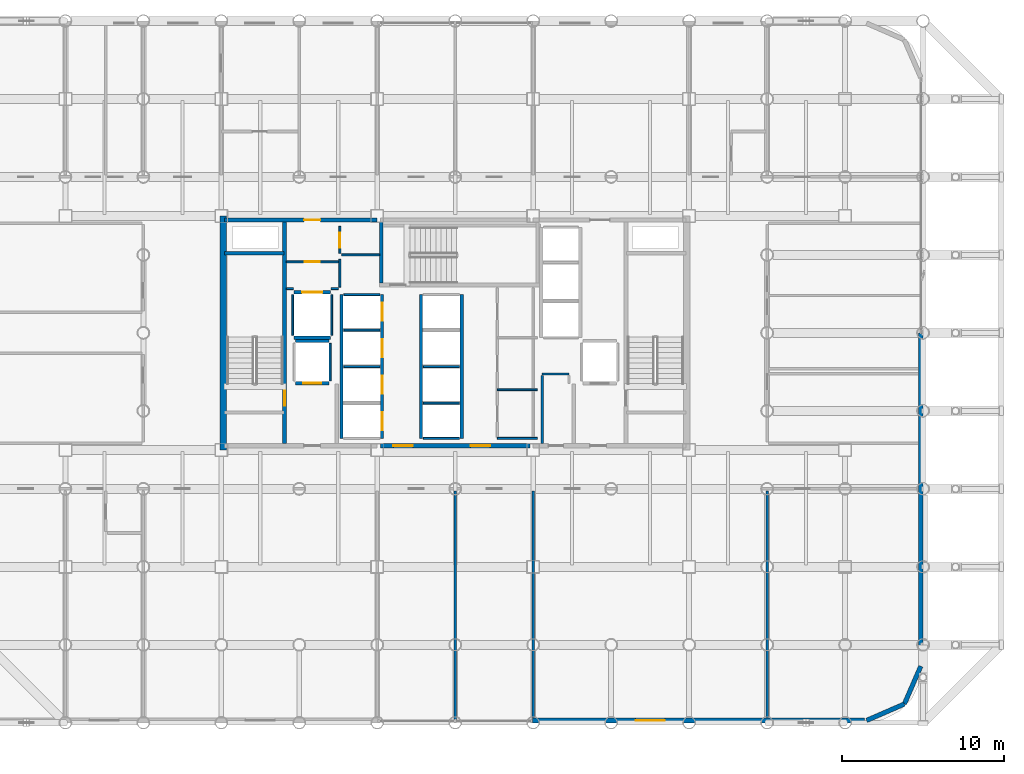
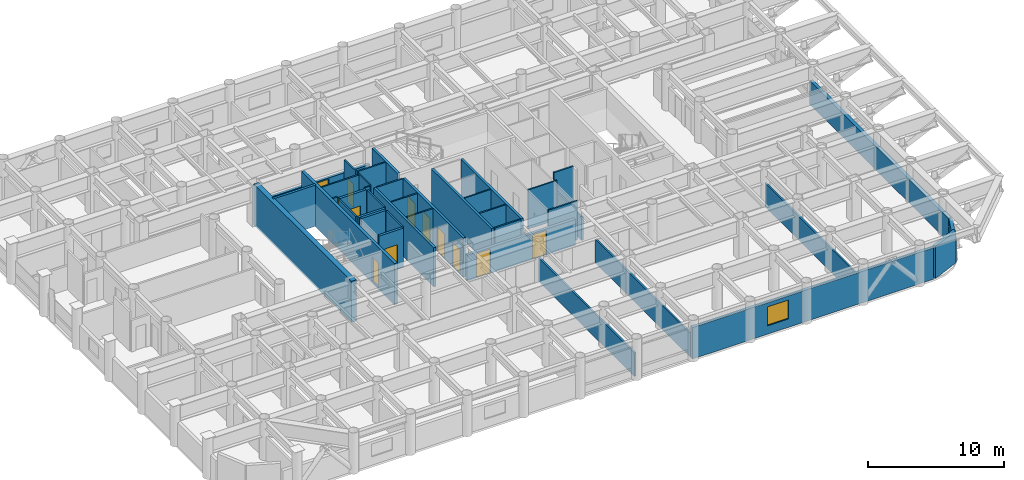
# One storey, part 22 of 26: 40 walls, 12 doors, 1 window, 13 openings.
"""IFC4 building model written with IfcOpenShell, lengths in metres."""

from ifc_helpers import new_model, si_unit, direction, frame, frame_2d, origin, place, context, subcontext, project, spatial, rectangle, extrude, material, layer, layer_set, type_object, element, fill, save


model = new_model("IFC4")

# Units and contexts
model_context = context("Model", 3, precision=1e-05, world=origin(), true_north=direction((0.0, 1.0)))
body_context = subcontext(model_context, "Body", "Model", "MODEL_VIEW")
ifc_project = project(units=[si_unit("LENGTHUNIT", "METRE"), si_unit("AREAUNIT", "SQUARE_METRE"), si_unit("VOLUMEUNIT", "CUBIC_METRE"), si_unit("PLANEANGLEUNIT", "RADIAN"), si_unit("MASSUNIT", "GRAM", prefix="KILO")], contexts=[model_context])

# Site, building, storey
site_placement = place(None, origin())
site = spatial("IfcSite", under=ifc_project, at=site_placement, CompositionType="ELEMENT")
building_placement = place(site_placement, origin())
building = spatial("IfcBuilding", under=site, at=building_placement, Name="Kallvorn Hotel Tower", CompositionType="ELEMENT")
storey_placement = place(building_placement, frame((0.0, 0.0, 55.89990234375)))
storey = spatial("IfcBuildingStorey", under=building, at=storey_placement, Name="L12", CompositionType="ELEMENT", Elevation=55.89990234375)

# Walls
ifc_material_1 = material(Name="Concrete C50/60", Category="concrete")
ifc_layer_1 = layer(ifc_material_1, 0.39990234375)
ifc_layer_set_1 = layer_set([ifc_layer_1], Name="WL_CORE_400")
wall_type_1 = type_object("IfcWallType", Name="WL_CORE_400", PredefinedType="SHEAR", material=ifc_layer_set_1)
wall_1_placement = place(storey_placement, frame((-14.264892578125, -7.199951171875, -0.179931640625), z_axis=(0.0, 0.0, 1.0), x_axis=(0.0, 1.0, 0.0)))
element("IfcWall", 1, at=wall_1_placement, inside=storey, type_object=wall_type_1, Name="L12 Core West Shear Wall", PredefinedType="SHEAR", context=body_context, shape_type="SweptSolid", body=[
    extrude(rectangle(XDim=14.39990234375, YDim=0.39990234375, at=frame_2d((7.199951171875, 0.0))), origin(), (0.0, 0.0, 1.0), 3.699951171875),
])
ifc_material_2 = material(Name="Precast basalt-clad insulated concrete wall C40/50", Category="masonry")
ifc_layer_2 = layer(ifc_material_2, 0.280029296875)
ifc_layer_set_2 = layer_set([ifc_layer_2], Name="WL_EXT_LOGGIA_280")
wall_type_2 = type_object("IfcWallType", Name="WL_EXT_LOGGIA_280", PredefinedType="SOLIDWALL", material=ifc_layer_set_2)
wall_2_placement = place(storey_placement, frame((25.32080078125, -23.85791015625, 0.0), z_axis=(0.0, 0.0, 1.0), x_axis=(0.917060872934, 0.398747232384, 0.0)))
element("IfcWall", 2, at=wall_2_placement, inside=storey, type_object=wall_type_2, Name="L12 Rounded Corner Exterior Wall SE1", PredefinedType="SOLIDWALL", context=body_context, shape_type="SweptSolid", body=[
    extrude(rectangle(XDim=2.5361328125, YDim=0.280029296875, at=frame_2d((1.26806640625, 0.0))), origin(), (0.0, 0.0, 1.0), 2.8701171875),
])
wall_3_placement = place(storey_placement, frame((27.646484375, -22.8466796875, 0.0), z_axis=(0.0, 0.0, 1.0), x_axis=(0.398792985289, 0.917040977756, 0.0)))
element("IfcWall", 3, at=wall_3_placement, inside=storey, type_object=wall_type_2, Name="L12 Rounded Corner Exterior Wall SE2", PredefinedType="SOLIDWALL", context=body_context, shape_type="SweptSolid", body=[
    extrude(rectangle(XDim=2.536376953125, YDim=0.280029296875, at=frame_2d((1.26806640625, 0.0))), origin(), (0.0, 0.0, 1.0), 2.1201171875),
])

# Wall, opening, window
wall_4_placement = place(storey_placement, frame((4.75, -23.860107421875, 0.0), z_axis=(0.0, 0.0, 1.0), x_axis=(1.0, 0.0, 0.0)))
wall_4 = element("IfcWall", 4, at=wall_4_placement, inside=storey, type_object=wall_type_2, Name="L12 Exterior Envelope Wall EW-L12-SE", PredefinedType="SOLIDWALL", context=body_context, shape_type="SweptSolid", body=[
    extrude(rectangle(XDim=20.449951171875, YDim=0.280029296875, at=frame_2d((10.22509765625, 0.0))), origin(), (0.0, 0.0, 1.0), 2.820068359375),
])
opening_1_placement = place(wall_4_placement, frame((6.35009765625, 0.0, 0.75)))
opening_1 = element("IfcOpeningElement", 5, at=opening_1_placement, cuts=wall_4, Name="Opening W04", PredefinedType="OPENING", context=body_context, shape_type="SweptSolid", body=[
    extrude(rectangle(XDim=1.800048828125, YDim=1.699951171875, at=frame_2d((0.89990234375, 0.85009765625))), frame((0.0, 0.155029296875, 0.0), z_axis=(0.0, -1.0, 0.0), x_axis=(1.0, 0.0, 0.0)), (0.0, 0.0, 1.0), 0.31005859375),
])
ifc_material_3 = material(Name="Double-glazed low-e solar-control dark glass", Category="glass")
window_type = type_object("IfcWindowType", Name="WN_HTL_1800x1700", PartitioningType="SINGLE_PANEL", PredefinedType="WINDOW", material=ifc_material_3)
window_placement = place(opening_1_placement, origin())
window = element("IfcWindow", 6, at=window_placement, inside=storey, type_object=window_type, Name="L12 Guestroom Exterior Window 04", OverallHeight=1.699951171875, OverallWidth=1.800048828125, PartitioningType="SINGLE_PANEL", PredefinedType="WINDOW", context=body_context, shape_type="SweptSolid", body=[
    extrude(rectangle(XDim=1.800048828125, YDim=1.699951171875, at=frame_2d((0.89990234375, 0.85009765625))), frame((0.0, 0.030029296875, 0.0), z_axis=(0.0, -1.0, 0.0), x_axis=(1.0, 0.0, 0.0)), (0.0, 0.0, 1.0), 0.06005859375),
])
fill(opening_1, window)

# Walls
wall_5_placement = place(storey_placement, frame((28.659912109375, -20.39990234375, 0.0), z_axis=(0.0, 0.0, 1.0), x_axis=(0.0, 1.0, 0.0)))
element("IfcWall", 7, at=wall_5_placement, inside=storey, type_object=wall_type_2, Name="L12 Exterior Envelope Wall EW-L12-ES", PredefinedType="SOLIDWALL", context=body_context, shape_type="SweptSolid", body=[
    extrude(rectangle(XDim=20.3798828125, YDim=0.280029296875, at=frame_2d((10.18994140625, 0.0))), origin(), (0.0, 0.0, 1.0), 2.1201171875),
])
ifc_material_4 = material(Name="Concrete C40/50", Category="concrete")
ifc_layer_3 = layer(ifc_material_4, 0.199951171875)
ifc_layer_set_3 = layer_set([ifc_layer_3], Name="WL_HOIST_200")
wall_type_3 = type_object("IfcWallType", Name="WL_HOIST_200", PredefinedType="SOLIDWALL", material=ifc_layer_set_3)
wall_6_placement = place(storey_placement, frame((-14.199951171875, 4.89990234375, -0.179931640625), z_axis=(0.0, 0.0, 1.0), x_axis=(1.0, 0.0, 0.0)))
element("IfcWall", 8, at=wall_6_placement, inside=storey, type_object=wall_type_3, Name="L12 Stair ST1 North Wall", PredefinedType="SOLIDWALL", context=body_context, shape_type="SweptSolid", body=[
    extrude(rectangle(XDim=3.64990234375, YDim=0.199951171875, at=frame_2d((1.824951171875, 0.0))), origin(), (0.0, 0.0, 1.0), 3.699951171875),
])
wall_7_placement = place(storey_placement, frame((-4.550048828125, 3.080078125, -0.179931640625), z_axis=(0.0, 0.0, 1.0), x_axis=(0.0, 1.0, 0.0)))
element("IfcWall", 9, at=wall_7_placement, inside=storey, type_object=wall_type_3, Name="L12 Stair ST3 West Wall", PredefinedType="SOLIDWALL", context=body_context, shape_type="SweptSolid", body=[
    extrude(rectangle(XDim=3.739990234375, YDim=0.199951171875, at=frame_2d((1.8701171875, 0.0))), origin(), (0.0, 0.0, 1.0), 3.699951171875),
])

# Wall, openings, doors
wall_8_placement = place(storey_placement, frame((-4.5, -6.5, 0.0), z_axis=(0.0, 0.0, 1.0), x_axis=(0.0, 1.0, 0.0)))
wall_8 = element("IfcWall", 10, at=wall_8_placement, inside=storey, type_object=wall_type_3, Name="L12 Lift Bank B1 Landing Wall", PredefinedType="SOLIDWALL", context=body_context, shape_type="SweptSolid", body=[
    extrude(rectangle(XDim=8.85009765625, YDim=0.199951171875, at=frame_2d((4.425048828125, 0.0))), origin(), (0.0, 0.0, 1.0), 3.52001953125),
])
opening_2_placement = place(wall_8_placement, frame((0.5, 0.0, 0.0)))
opening_2 = element("IfcOpeningElement", 11, at=opening_2_placement, cuts=wall_8, Name="Opening LD-PL-01", PredefinedType="OPENING", context=body_context, shape_type="SweptSolid", body=[
    extrude(rectangle(XDim=1.10009765625, YDim=2.199951171875, at=frame_2d((0.550048828125, 1.10009765625))), frame((0.0, 0.114990234375, 0.0), z_axis=(0.0, -1.0, 0.0), x_axis=(1.0, 0.0, 0.0)), (0.0, 0.0, 1.0), 0.22998046875),
])
opening_3_placement = place(wall_8_placement, frame((2.75, 0.0, 0.0)))
opening_3 = element("IfcOpeningElement", 12, at=opening_3_placement, cuts=wall_8, Name="Opening LD-PL-02", PredefinedType="OPENING", context=body_context, shape_type="SweptSolid", body=[
    extrude(rectangle(XDim=1.10009765625, YDim=2.199951171875, at=frame_2d((0.550048828125, 1.10009765625))), frame((0.0, 0.114990234375, 0.0), z_axis=(0.0, -1.0, 0.0), x_axis=(1.0, 0.0, 0.0)), (0.0, 0.0, 1.0), 0.22998046875),
])
opening_4_placement = place(wall_8_placement, frame((5.0, 0.0, 0.0)))
opening_4 = element("IfcOpeningElement", 13, at=opening_4_placement, cuts=wall_8, Name="Opening LD-PL-03", PredefinedType="OPENING", context=body_context, shape_type="SweptSolid", body=[
    extrude(rectangle(XDim=1.10009765625, YDim=2.199951171875, at=frame_2d((0.550048828125, 1.10009765625))), frame((0.0, 0.114990234375, 0.0), z_axis=(0.0, -1.0, 0.0), x_axis=(1.0, 0.0, 0.0)), (0.0, 0.0, 1.0), 0.22998046875),
])
opening_5_placement = place(wall_8_placement, frame((7.25, 0.0, 0.0)))
opening_5 = element("IfcOpeningElement", 14, at=opening_5_placement, cuts=wall_8, Name="Opening LD-PL-04", PredefinedType="OPENING", context=body_context, shape_type="SweptSolid", body=[
    extrude(rectangle(XDim=1.10009765625, YDim=2.199951171875, at=frame_2d((0.550048828125, 1.10009765625))), frame((0.0, 0.114990234375, 0.0), z_axis=(0.0, -1.0, 0.0), x_axis=(1.0, 0.0, 0.0)), (0.0, 0.0, 1.0), 0.22998046875),
])
ifc_material_5 = material(Name="Brushed stainless-steel automatic sliding lift landing door", Category="steel")
door_type_1 = type_object("IfcDoorType", Name="LD_PASS_1100x2200", OperationType="SLIDING_TO_LEFT", PredefinedType="DOOR", material=ifc_material_5)
door_1_placement = place(opening_2_placement, origin())
door_1 = element("IfcDoor", 15, at=door_1_placement, inside=storey, type_object=door_type_1, Name="L12 Lift Landing Sliding Door LD-PL-01", OperationType="SLIDING_TO_LEFT", OverallHeight=2.199951171875, OverallWidth=1.10009765625, PredefinedType="DOOR", context=body_context, shape_type="SweptSolid", body=[
    extrude(rectangle(XDim=1.10009765625, YDim=2.199951171875, at=frame_2d((0.550048828125, 1.10009765625))), frame((0.0, 0.02490234375, 0.0), z_axis=(0.0, -1.0, 0.0), x_axis=(1.0, 0.0, 0.0)), (0.0, 0.0, 1.0), 0.050048828125),
])
fill(opening_2, door_1)
door_2_placement = place(opening_3_placement, origin())
door_2 = element("IfcDoor", 16, at=door_2_placement, inside=storey, type_object=door_type_1, Name="L12 Lift Landing Sliding Door LD-PL-02", OperationType="SLIDING_TO_LEFT", OverallHeight=2.199951171875, OverallWidth=1.10009765625, PredefinedType="DOOR", context=body_context, shape_type="SweptSolid", body=[
    extrude(rectangle(XDim=1.10009765625, YDim=2.199951171875, at=frame_2d((0.550048828125, 1.10009765625))), frame((0.0, 0.02490234375, 0.0), z_axis=(0.0, -1.0, 0.0), x_axis=(1.0, 0.0, 0.0)), (0.0, 0.0, 1.0), 0.050048828125),
])
fill(opening_3, door_2)
door_3_placement = place(opening_4_placement, origin())
door_3 = element("IfcDoor", 17, at=door_3_placement, inside=storey, type_object=door_type_1, Name="L12 Lift Landing Sliding Door LD-PL-03", OperationType="SLIDING_TO_LEFT", OverallHeight=2.199951171875, OverallWidth=1.10009765625, PredefinedType="DOOR", context=body_context, shape_type="SweptSolid", body=[
    extrude(rectangle(XDim=1.10009765625, YDim=2.199951171875, at=frame_2d((0.550048828125, 1.10009765625))), frame((0.0, 0.02490234375, 0.0), z_axis=(0.0, -1.0, 0.0), x_axis=(1.0, 0.0, 0.0)), (0.0, 0.0, 1.0), 0.050048828125),
])
fill(opening_4, door_3)
door_4_placement = place(opening_5_placement, origin())
door_4 = element("IfcDoor", 18, at=door_4_placement, inside=storey, type_object=door_type_1, Name="L12 Lift Landing Sliding Door LD-PL-04", OperationType="SLIDING_TO_LEFT", OverallHeight=2.199951171875, OverallWidth=1.10009765625, PredefinedType="DOOR", context=body_context, shape_type="SweptSolid", body=[
    extrude(rectangle(XDim=1.10009765625, YDim=2.199951171875, at=frame_2d((0.550048828125, 1.10009765625))), frame((0.0, 0.02490234375, 0.0), z_axis=(0.0, -1.0, 0.0), x_axis=(1.0, 0.0, 0.0)), (0.0, 0.0, 1.0), 0.050048828125),
])
fill(opening_5, door_4)

# Walls
for number, where, z_axis, x_axis, name in (
    (19, (-7.0, -6.5, 0.0), (0.0, 0.0, 1.0), (0.0, 1.0, 0.0), "L12 Lift Bank B1 Rear Shaft Wall"),
    (20, (-2.10009765625, -6.5, 0.0), (0.0, 0.0, 1.0), (0.0, 1.0, 0.0), "L12 Lift Bank B2 Landing Wall"),
    (21, (0.39990234375, -6.5, 0.0), (0.0, 0.0, 1.0), (0.0, 1.0, 0.0), "L12 Lift Bank B2 Rear Shaft Wall"),
):
    element("IfcWall", number, at=place(storey_placement, frame(where, z_axis=z_axis, x_axis=x_axis)), inside=storey, type_object=wall_type_3, Name=name, PredefinedType="SOLIDWALL", context=body_context, shape_type="SweptSolid", body=[
        extrude(rectangle(XDim=8.85009765625, YDim=0.199951171875, at=frame_2d((4.425048828125, 0.0))), origin(), (0.0, 0.0, 1.0), 3.52001953125),
    ])

# Wall, opening, door
wall_9_placement = place(storey_placement, frame((-9.820068359375, -3.10009765625, 0.0), z_axis=(0.0, 0.0, 1.0), x_axis=(1.0, 0.0, 0.0)))
wall_9 = element("IfcWall", 22, at=wall_9_placement, inside=storey, type_object=wall_type_3, Name="L12 FL-1 Landing Wall", PredefinedType="SOLIDWALL", context=body_context, shape_type="SweptSolid", body=[
    extrude(rectangle(XDim=2.0400390625, YDim=0.199951171875, at=frame_2d((1.02001953125, 0.0))), origin(), (0.0, 0.0, 1.0), 3.52001953125),
])
opening_6_placement = place(wall_9_placement, frame((0.469970703125, 0.0, 0.0)))
opening_6 = element("IfcOpeningElement", 23, at=opening_6_placement, cuts=wall_9, Name="Opening LD-FL-1", PredefinedType="OPENING", context=body_context, shape_type="SweptSolid", body=[
    extrude(rectangle(XDim=1.10009765625, YDim=2.199951171875, at=frame_2d((0.550048828125, 1.10009765625))), frame((0.0, 0.114990234375, 0.0), z_axis=(0.0, -1.0, 0.0), x_axis=(1.0, 0.0, 0.0)), (0.0, 0.0, 1.0), 0.22998046875),
])
door_5_placement = place(opening_6_placement, origin())
door_5 = element("IfcDoor", 24, at=door_5_placement, inside=storey, type_object=door_type_1, Name="L12 Lift Landing Sliding Door LD-FL-1", OperationType="SLIDING_TO_LEFT", OverallHeight=2.199951171875, OverallWidth=1.10009765625, PredefinedType="DOOR", context=body_context, shape_type="SweptSolid", body=[
    extrude(rectangle(XDim=1.10009765625, YDim=2.199951171875, at=frame_2d((0.550048828125, 1.10009765625))), frame((0.0, 0.02490234375, 0.0), z_axis=(0.0, -1.0, 0.0), x_axis=(1.0, 0.0, 0.0)), (0.0, 0.0, 1.0), 0.050048828125),
])
fill(opening_6, door_5)

# Wall
wall_10_placement = place(storey_placement, frame((-9.820068359375, -0.5, 0.0), z_axis=(0.0, 0.0, 1.0), x_axis=(1.0, 0.0, 0.0)))
element("IfcWall", 25, at=wall_10_placement, inside=storey, type_object=wall_type_3, Name="L12 FL-1 Rear Shaft Wall", PredefinedType="SOLIDWALL", context=body_context, shape_type="SweptSolid", body=[
    extrude(rectangle(XDim=2.0400390625, YDim=0.199951171875, at=frame_2d((1.02001953125, 0.0))), origin(), (0.0, 0.0, 1.0), 3.52001953125),
])

# Wall, opening, door
wall_11_placement = place(storey_placement, frame((-9.919921875, 2.5, 0.0), z_axis=(0.0, 0.0, 1.0), x_axis=(1.0, 0.0, 0.0)))
wall_11 = element("IfcWall", 26, at=wall_11_placement, inside=storey, type_object=wall_type_3, Name="L12 SV-01 Landing Wall", PredefinedType="SOLIDWALL", context=body_context, shape_type="SweptSolid", body=[
    extrude(rectangle(XDim=2.239990234375, YDim=0.199951171875, at=frame_2d((1.1201171875, 0.0))), origin(), (0.0, 0.0, 1.0), 3.52001953125),
])
opening_7_placement = place(wall_11_placement, frame((0.4951171875, 0.0, 0.0)))
opening_7 = element("IfcOpeningElement", 27, at=opening_7_placement, cuts=wall_11, Name="Opening LD-SV-01", PredefinedType="OPENING", context=body_context, shape_type="SweptSolid", body=[
    extrude(rectangle(XDim=1.25, YDim=2.25, at=frame_2d((0.625, 1.125))), frame((0.0, 0.114990234375, 0.0), z_axis=(0.0, -1.0, 0.0), x_axis=(1.0, 0.0, 0.0)), (0.0, 0.0, 1.0), 0.22998046875),
])
ifc_material_6 = material(Name="Brushed stainless-steel automatic sliding lift landing door", Category="steel")
door_type_2 = type_object("IfcDoorType", Name="LD_SERV_1250x2250", OperationType="SLIDING_TO_LEFT", PredefinedType="DOOR", material=ifc_material_6)
door_6_placement = place(opening_7_placement, origin())
door_6 = element("IfcDoor", 28, at=door_6_placement, inside=storey, type_object=door_type_2, Name="L12 Lift Landing Sliding Door LD-SV-01", OperationType="SLIDING_TO_LEFT", OverallHeight=2.25, OverallWidth=1.25, PredefinedType="DOOR", context=body_context, shape_type="SweptSolid", body=[
    extrude(rectangle(XDim=1.25, YDim=2.25, at=frame_2d((0.625, 1.125))), frame((0.0, 0.02490234375, 0.0), z_axis=(0.0, -1.0, 0.0), x_axis=(1.0, 0.0, 0.0)), (0.0, 0.0, 1.0), 0.050048828125),
])
fill(opening_7, door_6)

# Walls
wall_12_placement = place(storey_placement, frame((-9.919921875, -0.300048828125, 0.0), z_axis=(0.0, 0.0, 1.0), x_axis=(1.0, 0.0, 0.0)))
element("IfcWall", 29, at=wall_12_placement, inside=storey, type_object=wall_type_3, Name="L12 SV-01 Rear Shaft Wall", PredefinedType="SOLIDWALL", context=body_context, shape_type="SweptSolid", body=[
    extrude(rectangle(XDim=2.239990234375, YDim=0.199951171875, at=frame_2d((1.1201171875, 0.0))), origin(), (0.0, 0.0, 1.0), 3.52001953125),
])
ifc_material_7 = material(Name="Fire-rated double-layer acoustic gypsum drywall EI 60")
ifc_layer_4 = layer(ifc_material_7, 0.1201171875)
ifc_layer_set_4 = layer_set([ifc_layer_4], Name="WL_INT_120")
wall_type_4 = type_object("IfcWallType", Name="WL_INT_120", PredefinedType="PARTITIONING", material=ifc_layer_set_4)
for number, where, z_axis, x_axis, name in (
    (30, (-6.860107421875, -2.074951171875, 0.0), (0.0, 0.0, 1.0), (1.0, 0.0, 0.0), "L12 PL-02 Hoistway Divider"),
    (31, (-6.860107421875, 0.175048828125, 0.0), (0.0, 0.0, 1.0), (1.0, 0.0, 0.0), "L12 PL-03 Hoistway Divider"),
    (32, (-6.860107421875, 2.35009765625, 0.0), (0.0, 0.0, 1.0), (1.0, 0.0, 0.0), "L12 PL-04 Hoistway Divider"),
):
    element("IfcWall", number, at=place(storey_placement, frame(where, z_axis=z_axis, x_axis=x_axis)), inside=storey, type_object=wall_type_4, Name=name, PredefinedType="PARTITIONING", context=body_context, shape_type="SweptSolid", body=[
        extrude(rectangle(XDim=2.22021484375, YDim=0.1201171875, at=frame_2d((1.110107421875, 0.0))), origin(), (0.0, 0.0, 1.0), 3.52001953125),
    ])
for number, where, z_axis, x_axis, name in (
    (33, (-1.9599609375, -6.5, 0.0), (0.0, 0.0, 1.0), (1.0, 0.0, 0.0), "L12 Lift Bank B2 South Closure Wall"),
    (34, (-1.9599609375, -4.324951171875, 0.0), (0.0, 0.0, 1.0), (1.0, 0.0, 0.0), "L12 PL-05 Hoistway Divider"),
    (35, (-1.9599609375, -2.074951171875, 0.0), (0.0, 0.0, 1.0), (1.0, 0.0, 0.0), "L12 PL-06 Hoistway Divider"),
):
    element("IfcWall", number, at=place(storey_placement, frame(where, z_axis=z_axis, x_axis=x_axis)), inside=storey, type_object=wall_type_4, Name=name, PredefinedType="PARTITIONING", context=body_context, shape_type="SweptSolid", body=[
        extrude(rectangle(XDim=2.219970703125, YDim=0.1201171875, at=frame_2d((1.10986328125, 0.0))), origin(), (0.0, 0.0, 1.0), 3.52001953125),
    ])
wall_13_placement = place(storey_placement, frame((-7.699951171875, -2.9599609375, 0.0), z_axis=(0.0, 0.0, 1.0), x_axis=(0.0, 1.0, 0.0)))
element("IfcWall", 36, at=wall_13_placement, inside=storey, type_object=wall_type_4, Name="L12 FL-1 East Shaft Wall", PredefinedType="PARTITIONING", context=body_context, shape_type="SweptSolid", body=[
    extrude(rectangle(XDim=2.320068359375, YDim=0.1201171875, at=frame_2d((1.16015625, 0.0))), origin(), (0.0, 0.0, 1.0), 3.52001953125),
])
for number, where, z_axis, x_axis, name in (
    (37, (-10.0, -0.159912109375, 0.0), (0.0, 0.0, 1.0), (0.0, 1.0, 0.0), "L12 SV-01 West Shaft Wall"),
    (38, (-7.60009765625, -0.159912109375, 0.0), (0.0, 0.0, 1.0), (0.0, 1.0, 0.0), "L12 SV-01 East Shaft Wall"),
):
    element("IfcWall", number, at=place(storey_placement, frame(where, z_axis=z_axis, x_axis=x_axis)), inside=storey, type_object=wall_type_4, Name=name, PredefinedType="PARTITIONING", context=body_context, shape_type="SweptSolid", body=[
        extrude(rectangle(XDim=2.52001953125, YDim=0.1201171875, at=frame_2d((1.260009765625, 0.0))), origin(), (0.0, 0.0, 1.0), 3.52001953125),
    ])
for number, where, z_axis, x_axis, name in (
    (39, (2.60009765625, -6.5, 0.0), (0.0, 0.0, 1.0), (1.0, 0.0, 0.0), "L12 East Core Minibar Store Partition"),
    (40, (2.60009765625, -3.5, 0.0), (0.0, 0.0, 1.0), (1.0, 0.0, 0.0), "L12 East Core Housekeeping Supply Closet Partition"),
):
    element("IfcWall", number, at=place(storey_placement, frame(where, z_axis=z_axis, x_axis=x_axis)), inside=storey, type_object=wall_type_4, Name=name, PredefinedType="PARTITIONING", context=body_context, shape_type="SweptSolid", body=[
        extrude(rectangle(XDim=2.449951171875, YDim=0.1201171875, at=frame_2d((1.22509765625, 0.0))), origin(), (0.0, 0.0, 1.0), 3.52001953125),
    ])
for number, where, z_axis, x_axis, name in (
    (41, (-10.39990234375, 2.72509765625, 0.0), (0.0, 0.0, 1.0), (1.0, 0.0, 0.0), "L12 Core Telecom and Metering Store Partition"),
    (42, (-7.639892578125, 2.72509765625, 0.0), (0.0, 0.0, 1.0), (1.0, 0.0, 0.0), "L12 Core Telecom and Metering Store Partition"),
):
    element("IfcWall", number, at=place(storey_placement, frame(where, z_axis=z_axis, x_axis=x_axis)), inside=storey, type_object=wall_type_4, Name=name, PredefinedType="PARTITIONING", context=body_context, shape_type="SweptSolid", body=[
        extrude(rectangle(XDim=0.43994140625, YDim=0.1201171875, at=frame_2d((0.219970703125, 0.0))), origin(), (0.0, 0.0, 1.0), 3.52001953125),
    ])

# Wall, opening, door
wall_14_placement = place(storey_placement, frame((-10.39990234375, 4.373291015625, 0.0), z_axis=(0.0, 0.0, 1.0), x_axis=(1.0, 0.0, 0.0)))
wall_14 = element("IfcWall", 43, at=wall_14_placement, inside=storey, type_object=wall_type_4, Name="L12 Core Telecom and Metering Store Partition", PredefinedType="PARTITIONING", context=body_context, shape_type="SweptSolid", body=[
    extrude(rectangle(XDim=3.199951171875, YDim=0.1201171875, at=frame_2d((1.60009765625, 0.0))), origin(), (0.0, 0.0, 1.0), 3.52001953125),
])
opening_8_placement = place(wall_14_placement, frame((1.14990234375, 0.0, 0.0)))
opening_8 = element("IfcOpeningElement", 44, at=opening_8_placement, cuts=wall_14, Name="Opening SVD1", PredefinedType="OPENING", context=body_context, shape_type="SweptSolid", body=[
    extrude(rectangle(XDim=0.89990234375, YDim=2.10009765625, at=frame_2d((0.449951171875, 1.050048828125))), frame((0.0, 0.074951171875, 0.0), z_axis=(0.0, -1.0, 0.0), x_axis=(1.0, 0.0, 0.0)), (0.0, 0.0, 1.0), 0.150146484375),
])
ifc_material_8 = material(Name="Galvanised painted steel fire-rated door assembly", Category="steel")
door_type_3 = type_object("IfcDoorType", Name="DR_SERV_900x2100", OperationType="NOTDEFINED", PredefinedType="DOOR", material=ifc_material_8)
door_7_placement = place(opening_8_placement, origin())
door_7 = element("IfcDoor", 45, at=door_7_placement, inside=storey, type_object=door_type_3, Name="L12 Core Telecom and Metering Store Door", OperationType="SINGLE_SWING_LEFT", OverallHeight=2.10009765625, OverallWidth=0.89990234375, PredefinedType="DOOR", context=body_context, shape_type="SweptSolid", body=[
    extrude(rectangle(XDim=0.89990234375, YDim=2.10009765625, at=frame_2d((0.449951171875, 1.050048828125))), frame((0.0, 0.02490234375, 0.0), z_axis=(0.0, -1.0, 0.0), x_axis=(1.0, 0.0, 0.0)), (0.0, 0.0, 1.0), 0.050048828125),
])
fill(opening_8, door_7)

# Walls
wall_15_placement = place(storey_placement, frame((-7.0, 4.800048828125, 0.0), z_axis=(0.0, 0.0, 1.0), x_axis=(1.0, 0.0, 0.0)))
element("IfcWall", 46, at=wall_15_placement, inside=storey, type_object=wall_type_4, Name="L12 Core Room Service Staging Pantry Partition", PredefinedType="PARTITIONING", context=body_context, shape_type="SweptSolid", body=[
    extrude(rectangle(XDim=2.35009765625, YDim=0.1201171875, at=frame_2d((1.175048828125, 0.0))), origin(), (0.0, 0.0, 1.0), 3.52001953125),
])
wall_16_placement = place(storey_placement, frame((-7.10009765625, 2.81005859375, 0.0), z_axis=(0.0, 0.0, 1.0), x_axis=(0.0, 1.0, 0.0)))
element("IfcWall", 47, at=wall_16_placement, inside=storey, type_object=wall_type_4, Name="L12 Core Telecom and Metering Store Partition", PredefinedType="PARTITIONING", context=body_context, shape_type="SweptSolid", body=[
    extrude(rectangle(XDim=1.7099609375, YDim=0.1201171875, at=frame_2d((0.85498046875, 0.0))), origin(), (0.0, 0.0, 1.0), 3.52001953125),
])

# Wall, opening, door
wall_17_placement = place(storey_placement, frame((-7.10009765625, 4.89990234375, 0.0), z_axis=(0.0, 0.0, 1.0), x_axis=(0.0, 1.0, 0.0)))
wall_17 = element("IfcWall", 48, at=wall_17_placement, inside=storey, type_object=wall_type_4, Name="L12 Core Room Service Staging Pantry Partition", PredefinedType="PARTITIONING", context=body_context, shape_type="SweptSolid", body=[
    extrude(rectangle(XDim=1.650146484375, YDim=0.1201171875, at=frame_2d((0.8251953125, 0.0))), origin(), (0.0, 0.0, 1.0), 3.52001953125),
])
opening_9_placement = place(wall_17_placement, frame((0.35009765625, 0.0, 0.0)))
opening_9 = element("IfcOpeningElement", 49, at=opening_9_placement, cuts=wall_17, Name="Opening SVD1", PredefinedType="OPENING", context=body_context, shape_type="SweptSolid", body=[
    extrude(rectangle(XDim=0.89990234375, YDim=2.10009765625, at=frame_2d((0.449951171875, 1.050048828125))), frame((0.0, 0.074951171875, 0.0), z_axis=(0.0, -1.0, 0.0), x_axis=(1.0, 0.0, 0.0)), (0.0, 0.0, 1.0), 0.150146484375),
])
door_8_placement = place(opening_9_placement, origin())
door_8 = element("IfcDoor", 50, at=door_8_placement, inside=storey, type_object=door_type_3, Name="L12 Core Room Service Staging Pantry Door", OperationType="SINGLE_SWING_RIGHT", OverallHeight=2.10009765625, OverallWidth=0.89990234375, PredefinedType="DOOR", context=body_context, shape_type="SweptSolid", body=[
    extrude(rectangle(XDim=0.89990234375, YDim=2.10009765625, at=frame_2d((0.449951171875, 1.050048828125))), frame((0.0, 0.02490234375, 0.0), z_axis=(0.0, -1.0, 0.0), x_axis=(1.0, 0.0, 0.0)), (0.0, 0.0, 1.0), 0.050048828125),
])
fill(opening_9, door_8)

# Walls
ifc_material_9 = material(Name="Fire-rated double-layer acoustic gypsum drywall EI 60")
ifc_layer_5 = layer(ifc_material_9, 0.14990234375)
ifc_layer_set_5 = layer_set([ifc_layer_5], Name="WL_PART_150")
wall_type_5 = type_object("IfcWallType", Name="WL_PART_150", PredefinedType="PARTITIONING", material=ifc_layer_set_5)
wall_18_placement = place(storey_placement, frame((0.0, -23.794921875, 0.0), z_axis=(0.0, 0.0, 1.0), x_axis=(0.0, 1.0, 0.0)))
element("IfcWall", 51, at=wall_18_placement, inside=storey, type_object=wall_type_5, Name="L12 L12 Diplomatic Summit Conference Boardroom 3-1 Partition", PredefinedType="PARTITIONING", context=body_context, shape_type="SweptSolid", body=[
    extrude(rectangle(XDim=14.074951171875, YDim=0.14990234375, at=frame_2d((7.03759765625, 0.0))), origin(), (0.0, 0.0, 1.0), 2.1201171875),
])
for number, where, z_axis, x_axis, name in (
    (52, (4.800048828125, -23.7099609375, 0.0), (0.0, 0.0, 1.0), (0.0, 1.0, 0.0), "L12 L12 Diplomatic Summit Conference Boardroom 3-2 Partition"),
    (53, (19.199951171875, -23.7099609375, 0.0), (0.0, 0.0, 1.0), (0.0, 1.0, 0.0), "L12 L12 Sommelier Wine and Tapas Bar 4 Partition"),
):
    element("IfcWall", number, at=place(storey_placement, frame(where, z_axis=z_axis, x_axis=x_axis)), inside=storey, type_object=wall_type_5, Name=name, PredefinedType="PARTITIONING", context=body_context, shape_type="SweptSolid", body=[
        extrude(rectangle(XDim=13.989990234375, YDim=0.14990234375, at=frame_2d((6.9951171875, 0.0))), origin(), (0.0, 0.0, 1.0), 2.1201171875),
    ])
ifc_material_10 = material(Name="Moisture-resistant acoustic plumbing chase wall EI 60")
ifc_layer_6 = layer(ifc_material_10, 0.139892578125)
ifc_layer_set_6 = layer_set([ifc_layer_6], Name="WL_PLUMB_140")
wall_type_6 = type_object("IfcWallType", Name="WL_PLUMB_140", PredefinedType="PLUMBINGWALL", material=ifc_layer_set_6)
wall_19_placement = place(storey_placement, frame((5.35009765625, -2.52490234375, 0.0), z_axis=(0.0, 0.0, 1.0), x_axis=(1.0, 0.0, 0.0)))
element("IfcWall", 54, at=wall_19_placement, inside=storey, type_object=wall_type_6, Name="L12 Core Accessible Staff WC Partition", PredefinedType="PLUMBINGWALL", context=body_context, shape_type="SweptSolid", body=[
    extrude(rectangle(XDim=1.64990234375, YDim=0.139892578125, at=frame_2d((0.824951171875, 0.0))), origin(), (0.0, 0.0, 1.0), 3.52001953125),
])
wall_20_placement = place(storey_placement, frame((5.35009765625, -6.800048828125, 0.0), z_axis=(0.0, 0.0, 1.0), x_axis=(0.0, 1.0, 0.0)))
element("IfcWall", 55, at=wall_20_placement, inside=storey, type_object=wall_type_6, Name="L12 Core Accessible Staff WC Partition", PredefinedType="PLUMBINGWALL", context=body_context, shape_type="SweptSolid", body=[
    extrude(rectangle(XDim=4.18994140625, YDim=0.139892578125, at=frame_2d((2.094970703125, 0.0))), origin(), (0.0, 0.0, 1.0), 2.1201171875),
])

# Wall, openings, doors
ifc_material_11 = material(Name="Concrete C40/50", Category="concrete")
ifc_layer_7 = layer(ifc_material_11, 0.25)
ifc_layer_set_7 = layer_set([ifc_layer_7], Name="WL_SHAFT_250")
wall_type_7 = type_object("IfcWallType", Name="WL_SHAFT_250", PredefinedType="SOLIDWALL", material=ifc_layer_set_7)
wall_21_placement = place(storey_placement, frame((-4.60009765625, -6.949951171875, 0.0), z_axis=(0.0, 0.0, 1.0), x_axis=(1.0, 0.0, 0.0)))
wall_21 = element("IfcWall", 56, at=wall_21_placement, inside=storey, type_object=wall_type_7, Name="L12 Core South-Central Wall", PredefinedType="SOLIDWALL", context=body_context, shape_type="SweptSolid", body=[
    extrude(rectangle(XDim=9.2001953125, YDim=0.25, at=frame_2d((4.60009765625, 0.0))), origin(), (0.0, 0.0, 1.0), 2.320068359375),
])
opening_10_placement = place(wall_21_placement, frame((0.800048828125, 0.0, 0.0)))
opening_10 = element("IfcOpeningElement", 57, at=opening_10_placement, cuts=wall_21, Name="Opening FD2", PredefinedType="OPENING", context=body_context, shape_type="SweptSolid", body=[
    extrude(rectangle(XDim=1.199951171875, YDim=2.199951171875, at=frame_2d((0.60009765625, 1.10009765625))), frame((0.0, 0.139892578125, 0.0), z_axis=(0.0, -1.0, 0.0), x_axis=(1.0, 0.0, 0.0)), (0.0, 0.0, 1.0), 0.280029296875),
])
opening_11_placement = place(wall_21_placement, frame((5.550048828125, 0.0, 0.0)))
opening_11 = element("IfcOpeningElement", 58, at=opening_11_placement, cuts=wall_21, Name="Opening FD2", PredefinedType="OPENING", context=body_context, shape_type="SweptSolid", body=[
    extrude(rectangle(XDim=1.199951171875, YDim=2.199951171875, at=frame_2d((0.60009765625, 1.10009765625))), frame((0.0, 0.139892578125, 0.0), z_axis=(0.0, -1.0, 0.0), x_axis=(1.0, 0.0, 0.0)), (0.0, 0.0, 1.0), 0.280029296875),
])
ifc_material_12 = material(Name="Galvanised painted steel fire-rated door assembly", Category="steel")
door_type_4 = type_object("IfcDoorType", Name="DR_LOBBY_1200x2200", OperationType="DOUBLE_DOOR_SINGLE_SWING", PredefinedType="DOOR", material=ifc_material_12)
door_9_placement = place(opening_10_placement, origin())
door_9 = element("IfcDoor", 59, at=door_9_placement, inside=storey, type_object=door_type_4, Name="L12 West Passenger Lift Lobby Door", OperationType="DOUBLE_DOOR_SINGLE_SWING", OverallHeight=2.199951171875, OverallWidth=1.199951171875, PredefinedType="DOOR", context=body_context, shape_type="SweptSolid", body=[
    extrude(rectangle(XDim=1.199951171875, YDim=2.199951171875, at=frame_2d((0.60009765625, 1.10009765625))), frame((0.0, 0.02490234375, 0.0), z_axis=(0.0, -1.0, 0.0), x_axis=(1.0, 0.0, 0.0)), (0.0, 0.0, 1.0), 0.050048828125),
])
fill(opening_10, door_9)
door_10_placement = place(opening_11_placement, origin())
door_10 = element("IfcDoor", 60, at=door_10_placement, inside=storey, type_object=door_type_4, Name="L12 East Passenger Lift Lobby Door", OperationType="DOUBLE_DOOR_SINGLE_SWING", OverallHeight=2.199951171875, OverallWidth=1.199951171875, PredefinedType="DOOR", context=body_context, shape_type="SweptSolid", body=[
    extrude(rectangle(XDim=1.199951171875, YDim=2.199951171875, at=frame_2d((0.60009765625, 1.10009765625))), frame((0.0, 0.02490234375, 0.0), z_axis=(0.0, -1.0, 0.0), x_axis=(1.0, 0.0, 0.0)), (0.0, 0.0, 1.0), 0.050048828125),
])
fill(opening_11, door_10)

# Wall, opening, door
wall_22_placement = place(storey_placement, frame((-14.199951171875, 6.949951171875, 0.0), z_axis=(0.0, 0.0, 1.0), x_axis=(1.0, 0.0, 0.0)))
wall_22 = element("IfcWall", 61, at=wall_22_placement, inside=storey, type_object=wall_type_7, Name="L12 Core North-West Wall", PredefinedType="SOLIDWALL", context=body_context, shape_type="SweptSolid", body=[
    extrude(rectangle(XDim=9.39990234375, YDim=0.25, at=frame_2d((4.699951171875, 0.0))), origin(), (0.0, 0.0, 1.0), 2.1201171875),
])
opening_12_placement = place(wall_22_placement, frame((4.89990234375, 0.0, 0.0)))
opening_12 = element("IfcOpeningElement", 62, at=opening_12_placement, cuts=wall_22, Name="Opening FD1A", PredefinedType="OPENING", context=body_context, shape_type="SweptSolid", body=[
    extrude(rectangle(XDim=1.0, YDim=2.02001953125, at=frame_2d((0.5, 1.010009765625))), frame((0.0, 0.139892578125, 0.0), z_axis=(0.0, -1.0, 0.0), x_axis=(1.0, 0.0, 0.0)), (0.0, 0.0, 1.0), 0.280029296875),
])
ifc_material_13 = material(Name="Galvanised painted steel fire-rated door assembly", Category="steel")
door_type_5 = type_object("IfcDoorType", Name="DR_FFL_1000x2020", OperationType="NOTDEFINED", PredefinedType="DOOR", material=ifc_material_13)
door_11_placement = place(opening_12_placement, origin())
door_11 = element("IfcDoor", 63, at=door_11_placement, inside=storey, type_object=door_type_5, Name="L12 Service Lift Lobby Door", OperationType="SINGLE_SWING_RIGHT", OverallHeight=2.02001953125, OverallWidth=1.0, PredefinedType="DOOR", context=body_context, shape_type="SweptSolid", body=[
    extrude(rectangle(XDim=1.0, YDim=2.02001953125, at=frame_2d((0.5, 1.010009765625))), frame((0.0, 0.02490234375, 0.0), z_axis=(0.0, -1.0, 0.0), x_axis=(1.0, 0.0, 0.0)), (0.0, 0.0, 1.0), 0.050048828125),
])
fill(opening_12, door_11)

wall_23_placement = place(storey_placement, frame((-10.5, -6.820068359375, -0.179931640625), z_axis=(0.0, 0.0, 1.0), x_axis=(0.0, 1.0, 0.0)))
wall_23 = element("IfcWall", 64, at=wall_23_placement, inside=storey, type_object=wall_type_7, Name="L12 Stair ST1 Shaft Wall", PredefinedType="SOLIDWALL", context=body_context, shape_type="SweptSolid", body=[
    extrude(rectangle(XDim=13.64013671875, YDim=0.25, at=frame_2d((6.820068359375, 0.0))), origin(), (0.0, 0.0, 1.0), 3.699951171875),
])
opening_13_placement = place(wall_23_placement, frame((2.320068359375, 0.0, 0.179931640625)))
opening_13 = element("IfcOpeningElement", 65, at=opening_13_placement, cuts=wall_23, Name="Opening SD1", PredefinedType="OPENING", context=body_context, shape_type="SweptSolid", body=[
    extrude(rectangle(XDim=0.949951171875, YDim=2.14990234375, at=frame_2d((0.47509765625, 1.074951171875))), frame((0.0, 0.139892578125, 0.0), z_axis=(0.0, -1.0, 0.0), x_axis=(1.0, 0.0, 0.0)), (0.0, 0.0, 1.0), 0.280029296875),
])
ifc_material_14 = material(Name="Galvanised painted steel fire-rated door assembly", Category="steel")
door_type_6 = type_object("IfcDoorType", Name="DR_STAIR_950x2150", OperationType="NOTDEFINED", PredefinedType="DOOR", material=ifc_material_14)
door_12_placement = place(opening_13_placement, origin())
door_12 = element("IfcDoor", 66, at=door_12_placement, inside=storey, type_object=door_type_6, Name="L12 Exit Stair ST1 Fire Door", OperationType="SINGLE_SWING_RIGHT", OverallHeight=2.14990234375, OverallWidth=0.949951171875, PredefinedType="DOOR", context=body_context, shape_type="SweptSolid", body=[
    extrude(rectangle(XDim=0.949951171875, YDim=2.14990234375, at=frame_2d((0.47509765625, 1.074951171875))), frame((0.0, 0.02490234375, 0.0), z_axis=(0.0, -1.0, 0.0), x_axis=(1.0, 0.0, 0.0)), (0.0, 0.0, 1.0), 0.050048828125),
])
fill(opening_13, door_12)

save(model, "model.ifc")
